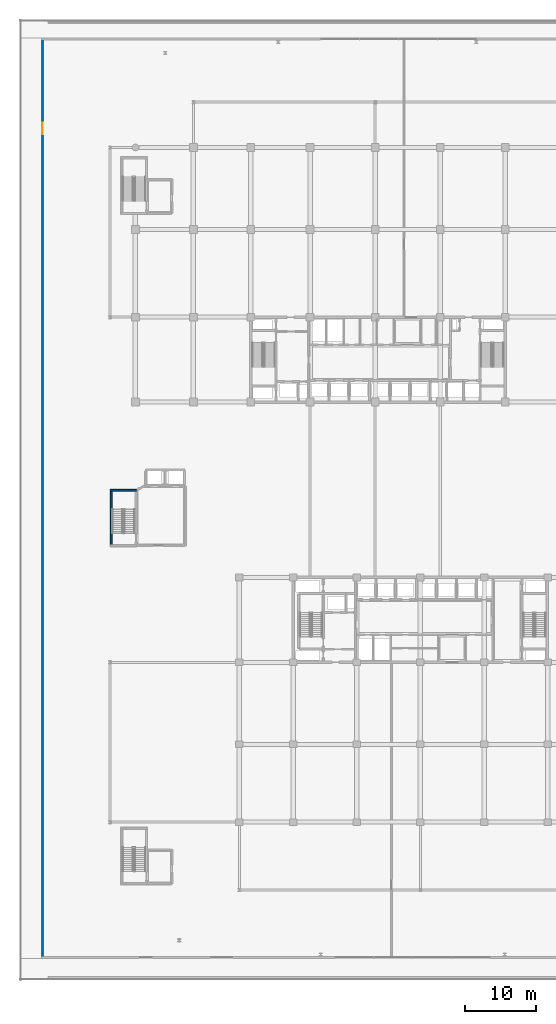
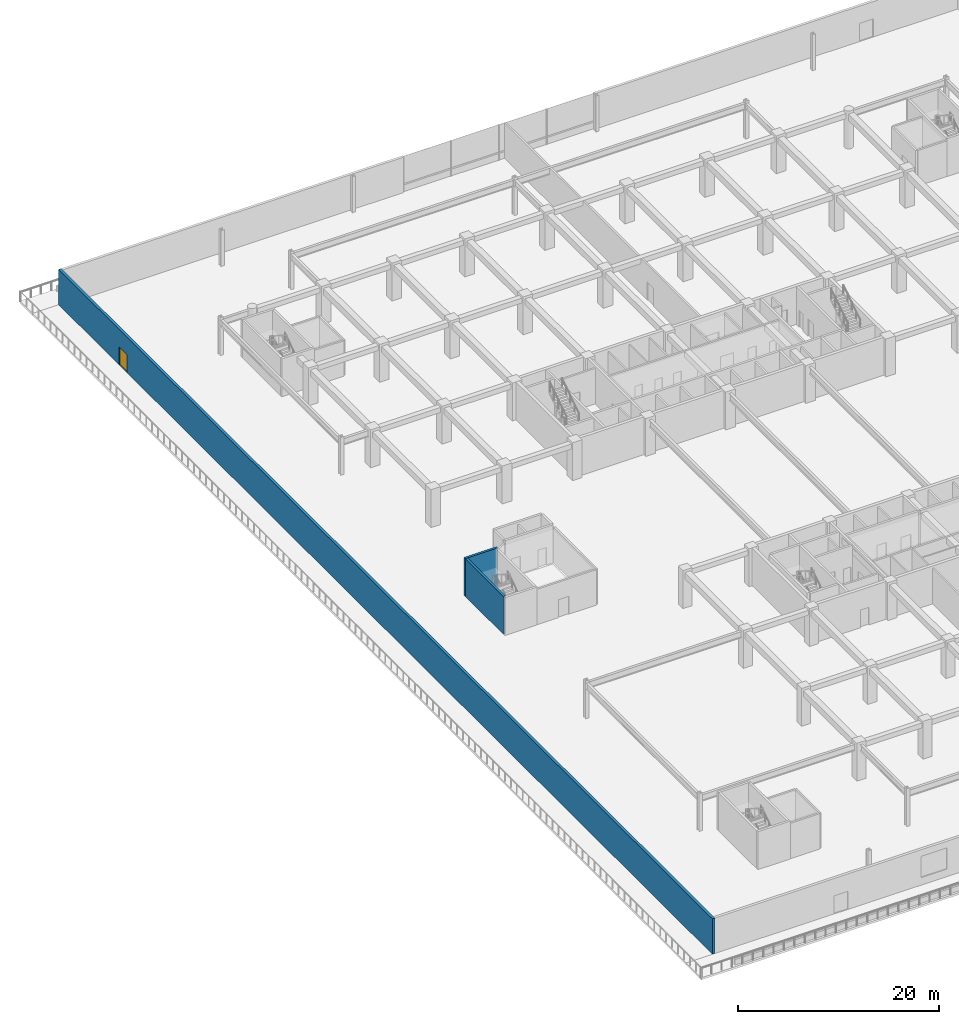
# One storey, part 23 of 45: 3 walls, 1 door, 1 opening.
"""IFC4 building model written with IfcOpenShell, lengths in metres."""

from ifc_helpers import new_model, si_unit, direction, frame, frame_2d, origin, place, context, subcontext, project, spatial, rectangle, extrude, material, layer, layer_set, type_object, element, fill, save


model = new_model("IFC4")

# Units and contexts
model_context = context("Model", 3, precision=1e-05, world=origin(), true_north=direction((0.0, 1.0)))
body_context = subcontext(model_context, "Body", "Model", "MODEL_VIEW")
ifc_project = project(units=[si_unit("LENGTHUNIT", "METRE"), si_unit("AREAUNIT", "SQUARE_METRE"), si_unit("VOLUMEUNIT", "CUBIC_METRE"), si_unit("PLANEANGLEUNIT", "RADIAN"), si_unit("MASSUNIT", "GRAM", prefix="KILO")], contexts=[model_context])

# Site, building, storey
site_placement = place(None, origin())
site = spatial("IfcSite", under=ifc_project, at=site_placement, CompositionType="ELEMENT")
building_placement = place(site_placement, origin())
building = spatial("IfcBuilding", under=site, at=building_placement, Name="Korimba Cascade Residences", CompositionType="ELEMENT")
storey_placement = place(building_placement, frame((0.0, 0.0, 5.39990234375)))
storey = spatial("IfcBuildingStorey", under=building, at=storey_placement, Name="L01", CompositionType="ELEMENT", Elevation=5.39990234375)

# Wall, opening, door
ifc_material_1 = material(Name="Precast concrete C40/50", Category="concrete")
ifc_layer_1 = layer(ifc_material_1, 0.300048828125)
ifc_layer_set_1 = layer_set([ifc_layer_1], Name="Precast concrete C40/50")
wall_type_1 = type_object("IfcWallType", Name="EW-STONE-300", PredefinedType="STANDARD", material=ifc_layer_set_1)
wall_1_placement = place(storey_placement, frame((46.64990234375, 106.699951171875, 0.0), z_axis=(0.0, 0.0, 1.0), x_axis=(0.0, -1.0, 0.0)))
wall_1 = element("IfcWall", 1, at=wall_1_placement, inside=storey, type_object=wall_type_1, Name="L01 West Podium Wall", PredefinedType="STANDARD", context=body_context, shape_type="SweptSolid", body=[
    extrude(rectangle(XDim=130.199951171875, YDim=0.300048828125, at=frame_2d((65.10009765625, 0.0))), origin(), (0.0, 0.0, 1.0), 4.300048828125),
])
opening_placement = place(wall_1_placement, frame((12.0, 0.0, 0.0)))
opening = element("IfcOpeningElement", 2, at=opening_placement, cuts=wall_1, Name="Opening D-TR1", PredefinedType="OPENING", context=body_context, shape_type="SweptSolid", body=[
    extrude(rectangle(XDim=1.60009765625, YDim=2.199951171875, at=frame_2d((0.800048828125, 1.10009765625))), frame((0.0, 0.16015625, 0.0), z_axis=(0.0, -1.0, 0.0), x_axis=(1.0, 0.0, 0.0)), (0.0, 0.0, 1.0), 0.320068359375),
])
ifc_material_2 = material(Name="Glazed Aluminium Terrace Door", Category="aluminium")
door_type = type_object("IfcDoorType", Name="DR-EXT-TER", OperationType="NOTDEFINED", PredefinedType="DOOR", material=ifc_material_2)
door_placement = place(opening_placement, frame((1.60009765625, 0.0, 0.0), z_axis=(0.0, 0.0, 1.0), x_axis=(-1.0, 0.0, 0.0)))
door = element("IfcDoor", 3, at=door_placement, inside=storey, type_object=door_type, Name="L01 West Terrace Access Door", OperationType="DOUBLE_DOOR_SINGLE_SWING", OverallHeight=2.199951171875, OverallWidth=1.60009765625, PredefinedType="DOOR", context=body_context, shape_type="SweptSolid", body=[
    extrude(rectangle(XDim=1.60009765625, YDim=2.199951171875, at=frame_2d((0.800048828125, 1.10009765625))), frame((0.0, 0.02490234375, 0.0), z_axis=(0.0, -1.0, 0.0), x_axis=(1.0, 0.0, 0.0)), (0.0, 0.0, 1.0), 0.050048828125),
])
fill(opening, door)

# Walls
ifc_material_3 = material(Name="Concrete C50/60", Category="concrete")
ifc_layer_2 = layer(ifc_material_3, 0.25)
ifc_layer_set_2 = layer_set([ifc_layer_2], Name="Concrete C50/60")
wall_type_2 = type_object("IfcWallType", Name="WAL-SHAFT-250", PredefinedType="SHEAR", material=ifc_layer_set_2)
wall_2_placement = place(storey_placement, frame((56.375, 35.0, 0.0), z_axis=(0.0, 0.0, 1.0), x_axis=(0.0, 1.0, 0.0)))
element("IfcWall", 4, at=wall_2_placement, inside=storey, type_object=wall_type_2, Name="L01 Core Shear Wall CW-L01-STP1W", PredefinedType="SHEAR", context=body_context, shape_type="SweptSolid", body=[
    extrude(rectangle(XDim=7.60009765625, YDim=0.25, at=frame_2d((3.800048828125, 0.0))), origin(), (0.0, 0.0, 1.0), 4.60009765625),
])
wall_3_placement = place(storey_placement, frame((56.25, 42.72509765625, 0.0), z_axis=(0.0, 0.0, 1.0), x_axis=(1.0, 0.0, 0.0)))
element("IfcWall", 5, at=wall_3_placement, inside=storey, type_object=wall_type_2, Name="L01 Core Shear Wall CW-L01-STP1N", PredefinedType="SHEAR", context=body_context, shape_type="SweptSolid", body=[
    extrude(rectangle(XDim=3.739990234375, YDim=0.25, at=frame_2d((1.8701171875, 0.0))), origin(), (0.0, 0.0, 1.0), 4.60009765625),
])

save(model, "model.ifc")
